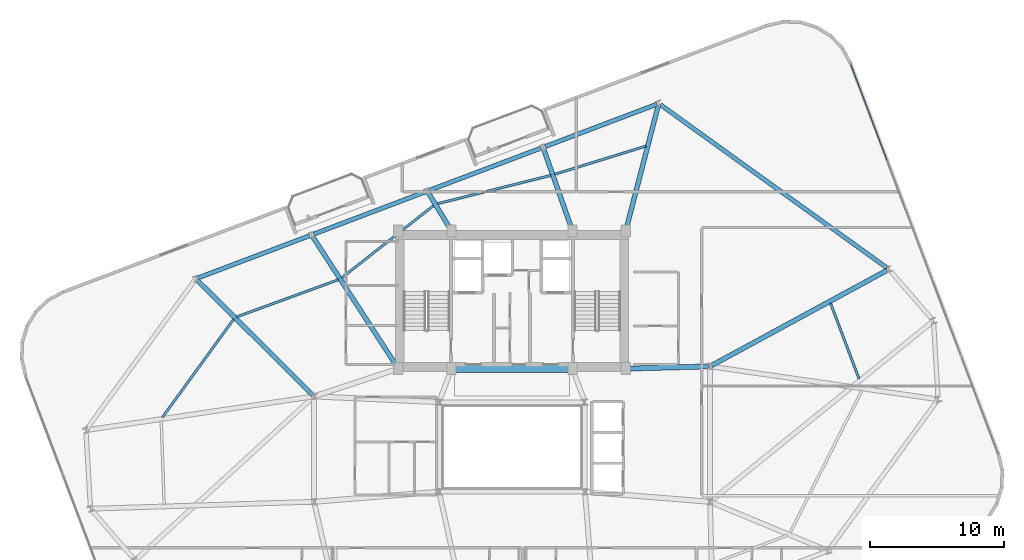
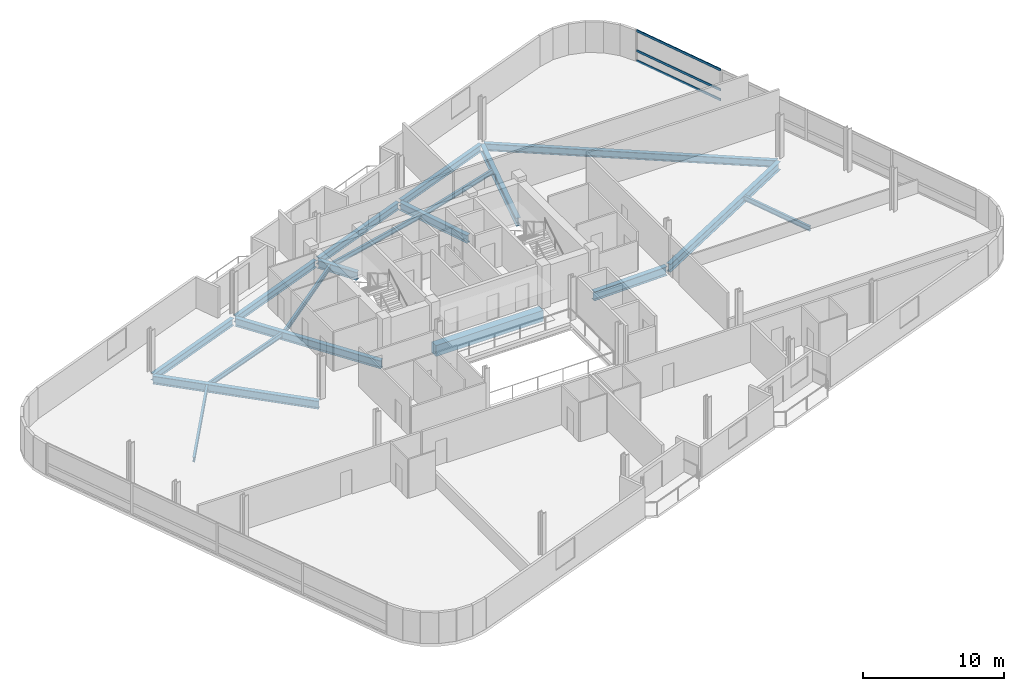
# One storey, part 9 of 19: 19 beams, 3 members, 1 element without a shape of its own.
"""IFC4 building model written with IfcOpenShell, lengths in metres."""

from ifc_helpers import new_model, si_unit, direction, frame, origin, origin_2d, place, context, subcontext, project, spatial, rectangle, hollow_rectangle, i_section, extrude, material, layer, layer_set, material_profile, profile_set, type_object, element, aggregate, save


model = new_model("IFC4")

# Units and contexts
model_context = context("Model", 3, precision=1e-05, world=origin(), true_north=direction((0.0, 1.0)))
body_context = subcontext(model_context, "Body", "Model", "MODEL_VIEW")
ifc_project = project(units=[si_unit("LENGTHUNIT", "METRE"), si_unit("AREAUNIT", "SQUARE_METRE"), si_unit("VOLUMEUNIT", "CUBIC_METRE"), si_unit("PLANEANGLEUNIT", "RADIAN"), si_unit("MASSUNIT", "GRAM", prefix="KILO")], contexts=[model_context])

# Site, building, storey
site_placement = place(None, origin())
site = spatial("IfcSite", under=ifc_project, at=site_placement, CompositionType="ELEMENT")
building_placement = place(site_placement, origin())
building = spatial("IfcBuilding", under=site, at=building_placement, Name="Varnelok Gate Tower", CompositionType="ELEMENT")
storey_placement = place(building_placement, frame((0.0, 0.0, 249.699951171875)))
storey = spatial("IfcBuildingStorey", under=building, at=storey_placement, Name="L64", CompositionType="ELEMENT", Elevation=249.699951171875)

# Beams
ifc_material_1 = material(Name="Structural Steel ASTM A992 Grade 50", Category="steel")
ifc_material_profile_1 = material_profile(ifc_material_1, i_section(OverallWidth=0.180908203125, OverallDepth=0.4169921875, WebThickness=0.010986328125, FlangeThickness=0.018310546875, FilletRadius=0.013916015625, at=origin_2d()), Name="W16X57")
ifc_profile_set_1 = profile_set([ifc_material_profile_1], Name="Structural Steel ASTM A992 Grade 50")
beam_type_1 = type_object("IfcBeamType", Name="BM-JST-W16X57", PredefinedType="JOIST", material=ifc_profile_set_1)
beam_1_placement = place(storey_placement, frame((65.143310546875, 27.989013671875, -0.45849609375), z_axis=(-0.352572889642, 0.935784354159, 0.0), x_axis=(-0.935784354159, -0.352572889642, 0.0)))
element("IfcBeam", 1, at=beam_1_placement, inside=storey, type_object=beam_type_1, Name="L64 Sector Floor Joist 6", PredefinedType="JOIST", context=body_context, shape_type="SweptSolid", body=[
    extrude(i_section(OverallWidth=0.180908203125, OverallDepth=0.4169921875, WebThickness=0.010986328125, FlangeThickness=0.018310546875, FilletRadius=0.013916015625, at=origin_2d()), origin(), (0.0, 0.0, 1.0), 6.052734375),
])
beam_2_placement = place(storey_placement, frame((49.2216796875, 45.388427734375, -0.45849609375), z_axis=(-0.955517656655, -0.294933904156, 0.0), x_axis=(0.294933904156, -0.955517656655, 0.0)))
element("IfcBeam", 2, at=beam_2_placement, inside=storey, type_object=beam_type_1, Name="L64 Sector Floor Joist 7", PredefinedType="JOIST", context=body_context, shape_type="SweptSolid", body=[
    extrude(i_section(OverallWidth=0.180908203125, OverallDepth=0.4169921875, WebThickness=0.010986328125, FlangeThickness=0.018310546875, FilletRadius=0.013916015625, at=origin_2d()), origin(), (0.0, 0.0, 1.0), 7.160400390625),
])
beam_3_placement = place(storey_placement, frame((42.1103515625, 43.201416015625, -0.45849609375), z_axis=(-0.970160511959, -0.242463566409, 0.0), x_axis=(0.242463566409, -0.970160511959, 0.0)))
element("IfcBeam", 3, at=beam_3_placement, inside=storey, type_object=beam_type_1, Name="L64 Sector Floor Joist 8", PredefinedType="JOIST", context=body_context, shape_type="SweptSolid", body=[
    extrude(i_section(OverallWidth=0.180908203125, OverallDepth=0.4169921875, WebThickness=0.010986328125, FlangeThickness=0.018310546875, FilletRadius=0.013916015625, at=origin_2d()), origin(), (0.0, 0.0, 1.0), 8.769287109375),
])
beam_4_placement = place(storey_placement, frame((33.35693359375, 40.95458984375, -0.45849609375), z_axis=(-0.785926773735, -0.618319582681, 0.0), x_axis=(0.618319582681, -0.785926773735, 0.0)))
element("IfcBeam", 4, at=beam_4_placement, inside=storey, type_object=beam_type_1, Name="L64 Sector Floor Joist 9", PredefinedType="JOIST", context=body_context, shape_type="SweptSolid", body=[
    extrude(i_section(OverallWidth=0.180908203125, OverallDepth=0.4169921875, WebThickness=0.010986328125, FlangeThickness=0.018310546875, FilletRadius=0.013916015625, at=origin_2d()), origin(), (0.0, 0.0, 1.0), 8.765869140625),
])
beam_5_placement = place(storey_placement, frame((26.22607421875, 35.399658203125, -0.45849609375), z_axis=(-0.939268098427, -0.343184264321, 0.0), x_axis=(0.343184264321, -0.939268098427, 0.0)))
element("IfcBeam", 5, at=beam_5_placement, inside=storey, type_object=beam_type_1, Name="L64 Sector Floor Joist 10", PredefinedType="JOIST", context=body_context, shape_type="SweptSolid", body=[
    extrude(i_section(OverallWidth=0.180908203125, OverallDepth=0.4169921875, WebThickness=0.010986328125, FlangeThickness=0.018310546875, FilletRadius=0.013916015625, at=origin_2d()), origin(), (0.0, 0.0, 1.0), 8.104248046875),
])
beam_6_placement = place(storey_placement, frame((18.400146484375, 32.45703125, -0.45849609375), z_axis=(-0.587539589771, -0.80919542167, 0.0), x_axis=(0.80919542167, -0.587539589771, 0.0)))
element("IfcBeam", 6, at=beam_6_placement, inside=storey, type_object=beam_type_1, Name="L64 Sector Floor Joist 11", PredefinedType="JOIST", context=body_context, shape_type="SweptSolid", body=[
    extrude(i_section(OverallWidth=0.180908203125, OverallDepth=0.4169921875, WebThickness=0.010986328125, FlangeThickness=0.018310546875, FilletRadius=0.013916015625, at=origin_2d()), origin(), (0.0, 0.0, 1.0), 9.0966796875),
])
ifc_material_2 = material(Name="Concrete C60/75", Category="concrete")
ifc_material_profile_2 = material_profile(ifc_material_2, rectangle(XDim=0.60009765625, YDim=0.949951171875, at=origin_2d()), Name="RC950X600")
ifc_profile_set_2 = profile_set([ifc_material_profile_2], Name="Concrete C60/75")
beam_type_2 = type_object("IfcBeamType", Name="BM-LNT-RC950", PredefinedType="LINTEL", material=ifc_profile_set_2)
beam_7_placement = place(storey_placement, frame((34.800048828125, 28.75, -0.724853515625), z_axis=(1.0, 0.0, 0.0), x_axis=(0.0, 1.0, 0.0)))
element("IfcBeam", 7, at=beam_7_placement, inside=storey, type_object=beam_type_2, Name="L64 Core-Atrium Spine Beam 7", PredefinedType="LINTEL", context=body_context, shape_type="SweptSolid", body=[
    extrude(rectangle(XDim=0.60009765625, YDim=0.949951171875, at=origin_2d()), origin(), (0.0, 0.0, 1.0), 8.800048828125),
])
ifc_material_profile_3 = material_profile(ifc_material_1, i_section(OverallWidth=0.35498046875, OverallDepth=0.696044921875, WebThickness=0.015380859375, FlangeThickness=0.02490234375, FilletRadius=0.02001953125, at=origin_2d()), Name="W27X146")
ifc_profile_set_3 = profile_set([ifc_material_profile_3], Name="Structural Steel ASTM A992 Grade 50")
beam_type_3 = type_object("IfcBeamType", Name="BM-PRI-W27X146", PredefinedType="BEAM", material=ifc_profile_set_3)
beam_8_placement = place(storey_placement, frame((54.1318359375, 28.99169921875, -0.597900390625), z_axis=(0.878855196349, 0.477088612157, 0.0), x_axis=(-0.477088612157, 0.878855196349, 0.0)))
element("IfcBeam", 8, at=beam_8_placement, inside=storey, type_object=beam_type_3, Name="L64 Radial Floor Girder 8", PredefinedType="BEAM", context=body_context, shape_type="SweptSolid", body=[
    extrude(i_section(OverallWidth=0.35498046875, OverallDepth=0.696044921875, WebThickness=0.015380859375, FlangeThickness=0.02490234375, FilletRadius=0.02001953125, at=origin_2d()), origin(), (0.0, 0.0, 1.0), 14.91650390625),
])
beam_9_placement = place(storey_placement, frame((47.73779296875, 39.1953125, -0.597900390625), z_axis=(0.251175366301, 0.967941597083, 0.0), x_axis=(-0.967941597083, 0.251175366301, 0.0)))
element("IfcBeam", 9, at=beam_9_placement, inside=storey, type_object=beam_type_3, Name="L64 Radial Floor Girder 9", PredefinedType="BEAM", context=body_context, shape_type="SweptSolid", body=[
    extrude(i_section(OverallWidth=0.35498046875, OverallDepth=0.696044921875, WebThickness=0.015380859375, FlangeThickness=0.02490234375, FilletRadius=0.02001953125, at=origin_2d()), origin(), (0.0, 0.0, 1.0), 9.537109375),
])
beam_10_placement = place(storey_placement, frame((43.670166015625, 39.19140625, -0.597900390625), z_axis=(-0.332145441042, 0.943228183419, 0.0), x_axis=(-0.943228183419, -0.332145441042, 0.0)))
element("IfcBeam", 10, at=beam_10_placement, inside=storey, type_object=beam_type_3, Name="L64 Radial Floor Girder 10", PredefinedType="BEAM", context=body_context, shape_type="SweptSolid", body=[
    extrude(i_section(OverallWidth=0.35498046875, OverallDepth=0.696044921875, WebThickness=0.015380859375, FlangeThickness=0.02490234375, FilletRadius=0.02001953125, at=origin_2d()), origin(), (0.0, 0.0, 1.0), 6.32275390625),
])
beam_11_placement = place(storey_placement, frame((34.60205078125, 39.177978515625, -0.597900390625), z_axis=(-0.520275699177, 0.853998358808, 0.0), x_axis=(-0.853998358808, -0.520275699177, 0.0)))
element("IfcBeam", 11, at=beam_11_placement, inside=storey, type_object=beam_type_3, Name="L64 Radial Floor Girder 11", PredefinedType="BEAM", context=body_context, shape_type="SweptSolid", body=[
    extrude(i_section(OverallWidth=0.35498046875, OverallDepth=0.696044921875, WebThickness=0.015380859375, FlangeThickness=0.02490234375, FilletRadius=0.02001953125, at=origin_2d()), origin(), (0.0, 0.0, 1.0), 3.18017578125),
])
beam_12_placement = place(storey_placement, frame((30.618408203125, 28.8759765625, -0.597900390625), z_axis=(-0.544016338938, 0.839074623004, 0.0), x_axis=(-0.839074623004, -0.544016338938, 0.0)))
element("IfcBeam", 12, at=beam_12_placement, inside=storey, type_object=beam_type_3, Name="L64 Radial Floor Girder 12", PredefinedType="BEAM", context=body_context, shape_type="SweptSolid", body=[
    extrude(i_section(OverallWidth=0.35498046875, OverallDepth=0.696044921875, WebThickness=0.015380859375, FlangeThickness=0.02490234375, FilletRadius=0.02001953125, at=origin_2d()), origin(), (0.0, 0.0, 1.0), 11.61376953125),
])
beam_13_placement = place(storey_placement, frame((24.293701171875, 26.785888671875, -0.597900390625), z_axis=(-0.708740938647, 0.705468838352, 0.0), x_axis=(-0.705468838352, -0.708740938647, 0.0)))
element("IfcBeam", 13, at=beam_13_placement, inside=storey, type_object=beam_type_3, Name="L64 Radial Floor Girder 13", PredefinedType="BEAM", context=body_context, shape_type="SweptSolid", body=[
    extrude(i_section(OverallWidth=0.35498046875, OverallDepth=0.696044921875, WebThickness=0.015380859375, FlangeThickness=0.02490234375, FilletRadius=0.02001953125, at=origin_2d()), origin(), (0.0, 0.0, 1.0), 12.161865234375),
])
ifc_material_profile_4 = material_profile(ifc_material_1, i_section(OverallWidth=0.381103515625, OverallDepth=0.77294921875, WebThickness=0.0166015625, FlangeThickness=0.027099609375, FilletRadius=0.02197265625, at=origin_2d()), Name="W30X173")
ifc_profile_set_4 = profile_set([ifc_material_profile_4], Name="Structural Steel ASTM A992 Grade 50")
beam_type_4 = type_object("IfcBeamType", Name="BM-PRI-W30X173", PredefinedType="BEAM", material=ifc_profile_set_4)
beam_14_placement = place(storey_placement, frame((47.820068359375, 28.753173828125, -0.636474609375), z_axis=(0.999635880609, 0.026983443053, 0.0), x_axis=(-0.026983443053, 0.999635880609, 0.0)))
element("IfcBeam", 14, at=beam_14_placement, inside=storey, type_object=beam_type_4, Name="L64 Core-Atrium Spine Beam 19", PredefinedType="BEAM", context=body_context, shape_type="SweptSolid", body=[
    extrude(i_section(OverallWidth=0.381103515625, OverallDepth=0.77294921875, WebThickness=0.0166015625, FlangeThickness=0.027099609375, FilletRadius=0.02197265625, at=origin_2d()), origin(), (0.0, 0.0, 1.0), 6.06201171875),
])
ifc_material_profile_5 = material_profile(ifc_material_1, i_section(OverallWidth=0.323974609375, OverallDepth=0.611083984375, WebThickness=0.0126953125, FlangeThickness=0.01904296875, FilletRadius=0.01806640625, at=origin_2d()), Name="W24X104")
ifc_profile_set_5 = profile_set([ifc_material_profile_5], Name="Structural Steel ASTM A992 Grade 50")
beam_type_5 = type_object("IfcBeamType", Name="BM-SPN-W24X104", PredefinedType="SPANDREL", material=ifc_profile_set_5)
beam_15_placement = place(storey_placement, frame((67.251220703125, 36.267333984375, -0.555419921875), z_axis=(-0.811382769408, 0.58451518501, 0.0), x_axis=(-0.58451518501, -0.811382769408, 0.0)))
element("IfcBeam", 15, at=beam_15_placement, inside=storey, type_object=beam_type_5, Name="L64 Perimeter Spandrel Beam 8", PredefinedType="SPANDREL", context=body_context, shape_type="SweptSolid", body=[
    extrude(i_section(OverallWidth=0.323974609375, OverallDepth=0.611083984375, WebThickness=0.0126953125, FlangeThickness=0.01904296875, FilletRadius=0.01806640625, at=origin_2d()), origin(), (0.0, 0.0, 1.0), 20.900634765625),
])
beam_16_placement = place(storey_placement, frame((50.03076171875, 48.518798828125, -0.555419921875), z_axis=(-0.935220356141, -0.354066216208, 0.0), x_axis=(0.354066216208, -0.935220356141, 0.0)))
element("IfcBeam", 16, at=beam_16_placement, inside=storey, type_object=beam_type_5, Name="L64 Perimeter Spandrel Beam 9", PredefinedType="SPANDREL", context=body_context, shape_type="SweptSolid", body=[
    extrude(i_section(OverallWidth=0.323974609375, OverallDepth=0.611083984375, WebThickness=0.0126953125, FlangeThickness=0.01904296875, FilletRadius=0.01806640625, at=origin_2d()), origin(), (0.0, 0.0, 1.0), 8.9501953125),
])
for number, where, z_axis, x_axis, name in (
    (17, (41.3798828125, 45.24365234375, -0.555419921875), (-0.935225969099, -0.354051389947, 0.0), (0.354051389947, -0.935225969099, 0.0), "L64 Perimeter Spandrel Beam 10"),
    (18, (32.72900390625, 41.96875, -0.555419921875), (-0.935216936382, -0.354075248928, 0.0), (0.354075248928, -0.935216936382, 0.0), "L64 Perimeter Spandrel Beam 11"),
):
    element("IfcBeam", number, at=place(storey_placement, frame(where, z_axis=z_axis, x_axis=x_axis)), inside=storey, type_object=beam_type_5, Name=name, PredefinedType="SPANDREL", context=body_context, shape_type="SweptSolid", body=[
        extrude(i_section(OverallWidth=0.323974609375, OverallDepth=0.611083984375, WebThickness=0.0126953125, FlangeThickness=0.01904296875, FilletRadius=0.01806640625, at=origin_2d()), origin(), (0.0, 0.0, 1.0), 8.949951171875),
    ])
beam_17_placement = place(storey_placement, frame((24.078369140625, 38.693603515625, -0.555419921875), z_axis=(-0.935220356141, -0.354066216208, 0.0), x_axis=(0.354066216208, -0.935220356141, 0.0)))
element("IfcBeam", 19, at=beam_17_placement, inside=storey, type_object=beam_type_5, Name="L64 Perimeter Spandrel Beam 12", PredefinedType="SPANDREL", context=body_context, shape_type="SweptSolid", body=[
    extrude(i_section(OverallWidth=0.323974609375, OverallDepth=0.611083984375, WebThickness=0.0126953125, FlangeThickness=0.01904296875, FilletRadius=0.01806640625, at=origin_2d()), origin(), (0.0, 0.0, 1.0), 8.9501953125),
])

# Curtain wall, members
ifc_material_3 = material(Name="Anodized Aluminum Alloy 6063-T6", Category="aluminium")
ifc_layer = layer(ifc_material_3, 0.179931640625)
ifc_layer_set = layer_set([ifc_layer], Name="Anodized Aluminum Alloy 6063-T6")
curtain_wall_type = type_object("IfcCurtainWallType", Name="CW4-RESIDENCE-VISION", PredefinedType="USERDEFINED", material=ifc_layer_set)
curtain_wall_placement = place(storey_placement, origin())
curtain_wall = element("IfcCurtainWall", 20, at=curtain_wall_placement, inside=storey, type_object=curtain_wall_type, Name="L64 East End Vision Curtain Wall", ObjectType="UNITISED CURTAIN WALL", PredefinedType="USERDEFINED")
ifc_material_profile_6 = material_profile(ifc_material_3, hollow_rectangle(XDim=0.074951171875, YDim=0.199951171875, WallThickness=0.00390625, at=origin_2d()), Name="ALU200X75X4")
ifc_profile_set_6 = profile_set([ifc_material_profile_6], Name="Anodized Aluminum Alloy 6063-T6")
member_type = type_object("IfcMemberType", Name="CW-TRAN-200", PredefinedType="USERDEFINED", material=ifc_profile_set_6)
member_1_placement = place(storey_placement, frame((64.528076171875, 51.4892578125, 0.03759765625), z_axis=(0.354073041953, -0.935217771945, 0.0), x_axis=(0.935217771945, 0.354073041953, 0.0)))
member_1 = element("IfcMember", 21, at=member_1_placement, type_object=member_type, Name="CW4 transom 1.1", ObjectType="TRANSOM", PredefinedType="USERDEFINED", context=body_context, shape_type="SweptSolid", body=[
    extrude(hollow_rectangle(XDim=0.074951171875, YDim=0.199951171875, WallThickness=0.00390625, at=origin_2d()), origin(), (0.0, 0.0, 1.0), 7.6875),
])
member_2_placement = place(storey_placement, frame((64.528076171875, 51.4892578125, 0.900146484375), z_axis=(0.354073041953, -0.935217771945, 0.0), x_axis=(0.935217771945, 0.354073041953, 0.0)))
member_2 = element("IfcMember", 22, at=member_2_placement, type_object=member_type, Name="CW4 transom 1.2", ObjectType="TRANSOM", PredefinedType="USERDEFINED", context=body_context, shape_type="SweptSolid", body=[
    extrude(hollow_rectangle(XDim=0.074951171875, YDim=0.199951171875, WallThickness=0.00390625, at=origin_2d()), origin(), (0.0, 0.0, 1.0), 7.6875),
])
member_3_placement = place(storey_placement, frame((64.528076171875, 51.4892578125, 2.62255859375), z_axis=(0.354073041953, -0.935217771945, 0.0), x_axis=(0.935217771945, 0.354073041953, 0.0)))
member_3 = element("IfcMember", 23, at=member_3_placement, type_object=member_type, Name="CW4 transom 1.3", ObjectType="TRANSOM", PredefinedType="USERDEFINED", context=body_context, shape_type="SweptSolid", body=[
    extrude(hollow_rectangle(XDim=0.074951171875, YDim=0.199951171875, WallThickness=0.00390625, at=origin_2d()), origin(), (0.0, 0.0, 1.0), 7.6875),
])
aggregate(curtain_wall, [member_1, member_2, member_3])

save(model, "model.ifc")
